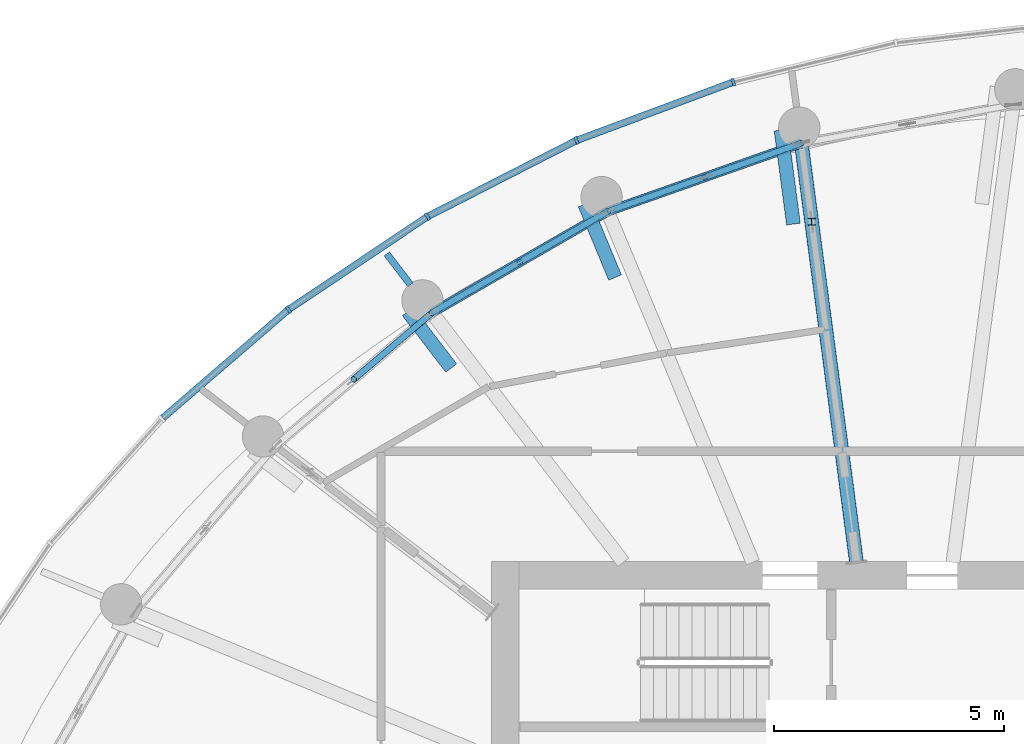
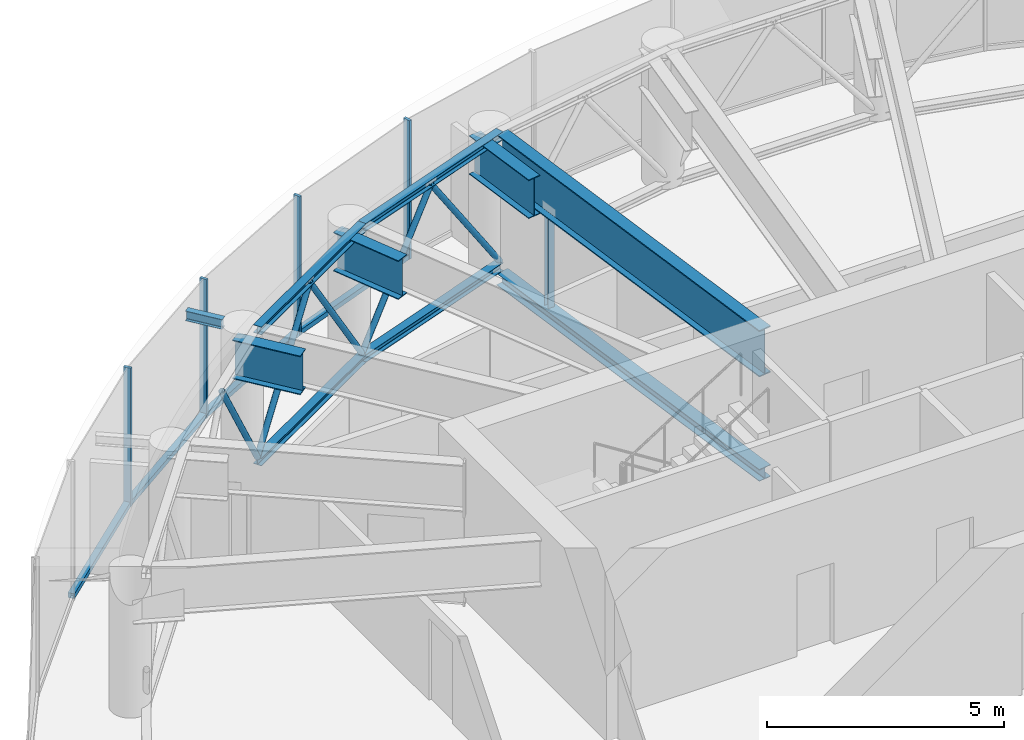
# One storey, part 11 of 26: 19 members, 5 beams, 1 element without a shape of its own.
"""IFC4 building model written with IfcOpenShell, lengths in metres."""

from ifc_helpers import new_model, si_unit, direction, frame, origin, origin_2d, place, context, subcontext, project, spatial, rectangle, hollow_circle, i_section, extrude, source, transform, mapped, material, layer, layer_set, material_profile, profile_set, type_object, element, aggregate, save


model = new_model("IFC4")

# Units and contexts
model_context = context("Model", 3, precision=1e-05, world=origin(), true_north=direction((0.0, 1.0)))
body_context = subcontext(model_context, "Body", "Model", "MODEL_VIEW")
ifc_project = project(units=[si_unit("LENGTHUNIT", "METRE"), si_unit("AREAUNIT", "SQUARE_METRE"), si_unit("VOLUMEUNIT", "CUBIC_METRE"), si_unit("PLANEANGLEUNIT", "RADIAN"), si_unit("MASSUNIT", "GRAM", prefix="KILO")], contexts=[model_context])

# Site, building, storey
site_placement = place(None, origin())
site = spatial("IfcSite", under=ifc_project, at=site_placement, CompositionType="ELEMENT")
building_placement = place(site_placement, origin())
building = spatial("IfcBuilding", under=site, at=building_placement, Name="Spindrift Exchange Tower", CompositionType="ELEMENT")
storey_placement = place(building_placement, frame((0.0, 0.0, 230.60009765625)))
storey = spatial("IfcBuildingStorey", under=building, at=storey_placement, Name="L56", CompositionType="ELEMENT", Elevation=230.60009765625)

# Beam
ifc_material_1 = material(Name="Steel Grade 300", Category="steel")
ifc_material_profile_1 = material_profile(ifc_material_1, i_section(OverallWidth=0.14599609375, OverallDepth=0.251953125, WebThickness=0.006103515625, FlangeThickness=0.008544921875, FilletRadius=0.011962890625, at=origin_2d()), Name="250UB31.4")
ifc_profile_set_1 = profile_set([ifc_material_profile_1], Name="Steel Grade 300")
beam_type_1 = type_object("IfcBeamType", Name="Cantilever Beam 250UB31.4 Steel Grade 300", PredefinedType="BEAM", material=ifc_profile_set_1)
shared_shape_1 = source(origin(), body_context, "Body", "SweptSolid", [
    extrude(i_section(OverallWidth=0.14599609375, OverallDepth=0.251953125, WebThickness=0.006103515625, FlangeThickness=0.008544921875, FilletRadius=0.011962890625, at=origin_2d()), origin(), (0.0, 0.0, 1.0), 0.845947265625),
])
beam_1_placement = place(storey_placement, frame((41.239013671875, 62.024169921875, 3.453857421875), z_axis=(-0.60887368778, 0.793267188487, 0.0), x_axis=(-0.793267188487, -0.60887368778, 0.0)))
element("IfcBeam", 1, at=beam_1_placement, inside=storey, type_object=beam_type_1, Name="L56 cantilever beam R09T", PredefinedType="BEAM", context=body_context, shape_type="MappedRepresentation", body=[
    mapped(shared_shape_1, transform((0.0, 0.0, 0.0), scale=1.0)),
])

# Member
ifc_material_profile_2 = material_profile(ifc_material_1, i_section(OverallWidth=0.152099609375, OverallDepth=0.152099609375, WebThickness=0.006103515625, FlangeThickness=0.0068359375, FilletRadius=0.008056640625, at=origin_2d()), Name="150UC23.4")
ifc_profile_set_2 = profile_set([ifc_material_profile_2], Name="Steel Grade 300")
member_type_1 = type_object("IfcMemberType", Name="Outrigger Truss Post 150UC23.4 Steel Grade 300", PredefinedType="POST", material=ifc_profile_set_2)
shared_shape_2 = source(origin(), body_context, "Body", "SweptSolid", [
    extrude(i_section(OverallWidth=0.152099609375, OverallDepth=0.152099609375, WebThickness=0.006103515625, FlangeThickness=0.0068359375, FilletRadius=0.008056640625, at=origin_2d()), origin(), (0.0, 0.0, 1.0), 2.3798828125),
])
member_1_placement = place(storey_placement, frame((49.97314453125, 63.39599609375, 0.0), z_axis=(0.0, 0.0, 1.0), x_axis=(1.0, 0.0, 0.0)))
element("IfcMember", 2, at=member_1_placement, inside=storey, type_object=member_type_1, Name="L56 outrigger truss 07 post 1", PredefinedType="POST", context=body_context, shape_type="MappedRepresentation", body=[
    mapped(shared_shape_2, transform((0.0, 0.0, 0.0), scale=1.0)),
])

# Beam
ifc_material_profile_3 = material_profile(ifc_material_1, i_section(OverallWidth=0.300048828125, OverallDepth=1.199951171875, WebThickness=0.011962890625, FlangeThickness=0.028076171875, at=origin_2d()), Name="1200WB249")
ifc_profile_set_3 = profile_set([ifc_material_profile_3], Name="Steel Grade 300")
beam_type_2 = type_object("IfcBeamType", Name="Outrigger Truss Transfer Girder 1200WB249 Steel Grade 300", PredefinedType="BEAM", material=ifc_profile_set_3)
shared_shape_3 = source(origin(), body_context, "Body", "SweptSolid", [
    extrude(i_section(OverallWidth=0.300048828125, OverallDepth=1.199951171875, WebThickness=0.011962890625, FlangeThickness=0.028076171875, at=origin_2d()), origin(), (0.0, 0.0, 1.0), 9.11376953125),
])
beam_2_placement = place(storey_placement, frame((50.949462890625, 55.980224609375, 2.97998046875), z_axis=(-0.130536972606, 0.991443442049, 0.0), x_axis=(-0.991443442049, -0.130536972606, 0.0)))
element("IfcBeam", 3, at=beam_2_placement, inside=storey, type_object=beam_type_2, Name="L56 outrigger truss 07 top chord 1", PredefinedType="BEAM", context=body_context, shape_type="MappedRepresentation", body=[
    mapped(shared_shape_3, transform((0.0, 0.0, 0.0), scale=1.0)),
])

# Members
ifc_material_profile_4 = material_profile(ifc_material_1, i_section(OverallWidth=0.304931640625, OverallDepth=0.30810546875, WebThickness=0.010009765625, FlangeThickness=0.015380859375, FilletRadius=0.0166015625, at=origin_2d()), Name="310UC96.8")
ifc_profile_set_4 = profile_set([ifc_material_profile_4], Name="Steel Grade 300")
member_type_2 = type_object("IfcMemberType", Name="Outrigger Truss Chord 310UC96.8 Steel Grade 300", PredefinedType="CHORD", material=ifc_profile_set_4)
shared_shape_4 = source(origin(), body_context, "Body", "SweptSolid", [
    extrude(i_section(OverallWidth=0.304931640625, OverallDepth=0.30810546875, WebThickness=0.010009765625, FlangeThickness=0.015380859375, FilletRadius=0.0166015625, at=origin_2d()), origin(), (0.0, 0.0, 1.0), 9.11376953125),
])
member_2_placement = place(storey_placement, frame((50.949462890625, 55.980224609375, -0.154052734375), z_axis=(-0.130536972606, 0.991443442049, 0.0), x_axis=(-0.991443442049, -0.130536972606, 0.0)))
element("IfcMember", 4, at=member_2_placement, inside=storey, type_object=member_type_2, Name="L56 outrigger truss 07 bottom chord 1", PredefinedType="CHORD", context=body_context, shape_type="MappedRepresentation", body=[
    mapped(shared_shape_4, transform((0.0, 0.0, 0.0), scale=1.0)),
])
ifc_material_profile_5 = material_profile(ifc_material_1, i_section(OverallWidth=0.202880859375, OverallDepth=0.202880859375, WebThickness=0.00732421875, FlangeThickness=0.010986328125, FilletRadius=0.012939453125, at=origin_2d()), Name="200UC46.2")
ifc_profile_set_5 = profile_set([ifc_material_profile_5], Name="Steel Grade 300")
member_type_3 = type_object("IfcMemberType", Name="Belt Truss Chord 200UC46.2 Steel Grade 300", PredefinedType="CHORD", material=ifc_profile_set_5)
shared_shape_5 = source(origin(), body_context, "Body", "SweptSolid", [
    extrude(i_section(OverallWidth=0.202880859375, OverallDepth=0.202880859375, WebThickness=0.00732421875, FlangeThickness=0.010986328125, FilletRadius=0.012939453125, at=origin_2d()), origin(), (0.0, 0.0, 1.0), 4.471923828125),
])
for number, where, z_axis, x_axis, name in (
    (5, (49.748046875, 65.10546875, 3.478515625), (-0.942996380726, -0.332802983668, 0.0), (0.332802983668, -0.942996380726, 0.0), "L56 belt truss 07 top chord"),
    (6, (49.748046875, 65.10546875, 0.101318359375), (-0.942996380726, -0.332802983668, 0.0), (0.332802983668, -0.942996380726, 0.0), "L56 belt truss 07 bottom chord"),
):
    element("IfcMember", number, at=place(storey_placement, frame(where, z_axis=z_axis, x_axis=x_axis)), inside=storey, type_object=member_type_3, Name=name, PredefinedType="CHORD", context=body_context, shape_type="MappedRepresentation", body=[
        mapped(shared_shape_5, transform((0.0, 0.0, 0.0), scale=1.0)),
    ])
ifc_material_2 = material(Name="Steel Grade 350", Category="steel")
ifc_material_profile_6 = material_profile(ifc_material_2, hollow_circle(Radius=0.06982421875, WallThickness=0.00537109375, at=origin_2d()), Name="139.7x5.4CHS")
ifc_profile_set_6 = profile_set([ifc_material_profile_6], Name="Steel Grade 350")
member_type_4 = type_object("IfcMemberType", Name="Belt Truss Diagonal 139.7x5.4CHS Steel Grade 350", PredefinedType="BRACE", material=ifc_profile_set_6)
shared_shape_6 = source(origin(), body_context, "Body", "SweptSolid", [
    extrude(hollow_circle(Radius=0.06982421875, WallThickness=0.00537109375, at=origin_2d()), origin(), (0.0, 0.0, 1.0), 3.882568359375),
])
for number, where, z_axis, x_axis, name in (
    (7, (49.748046875, 65.10546875, 0.202880859375), (-0.543051435145, -0.191665212404, 0.817532620231), (0.332820117735, -0.942990333583, 0.0), "L56 belt truss 07 diagonal 1"),
    (8, (47.6396484375, 64.361328125, 3.376953125), (-0.543095770869, -0.191658667316, -0.817504702682), (0.332785851256, -0.943002426934, 0.0), "L56 belt truss 07 diagonal 2"),
):
    element("IfcMember", number, at=place(storey_placement, frame(where, z_axis=z_axis, x_axis=x_axis)), inside=storey, type_object=member_type_4, Name=name, PredefinedType="BRACE", context=body_context, shape_type="MappedRepresentation", body=[
        mapped(shared_shape_6, transform((0.0, 0.0, 0.0), scale=1.0)),
    ])
shared_shape_7 = source(origin(), body_context, "Body", "SweptSolid", [
    extrude(i_section(OverallWidth=0.202880859375, OverallDepth=0.202880859375, WebThickness=0.00732421875, FlangeThickness=0.010986328125, FilletRadius=0.012939453125, at=origin_2d()), origin(), (0.0, 0.0, 1.0), 4.412841796875),
])
for number, where, z_axis, x_axis, name in (
    (9, (45.531005859375, 63.6171875, 3.478515625), (-0.86636789369, -0.499406320328, 0.0), (0.499406320328, -0.86636789369, 0.0), "L56 belt truss 08 top chord"),
    (10, (45.531005859375, 63.6171875, 0.101318359375), (-0.86636789369, -0.499406320328, 0.0), (0.499406320328, -0.86636789369, 0.0), "L56 belt truss 08 bottom chord"),
):
    element("IfcMember", number, at=place(storey_placement, frame(where, z_axis=z_axis, x_axis=x_axis)), inside=storey, type_object=member_type_3, Name=name, PredefinedType="CHORD", context=body_context, shape_type="MappedRepresentation", body=[
        mapped(shared_shape_7, transform((0.0, 0.0, 0.0), scale=1.0)),
    ])
shared_shape_8 = source(origin(), body_context, "Body", "SweptSolid", [
    extrude(hollow_circle(Radius=0.06982421875, WallThickness=0.00537109375, at=origin_2d()), origin(), (0.0, 0.0, 1.0), 3.86572265625),
])
for number, where, z_axis, x_axis, name in (
    (11, (45.531005859375, 63.6171875, 0.202880859375), (-0.494518794777, -0.28502724404, 0.82110330152), (0.499364793067, -0.866391830205, 0.0), "L56 belt truss 08 diagonal 1"),
    (12, (43.619384765625, 62.515380859375, 3.376953125), (-0.494509891978, -0.285085268504, -0.821088519234), (0.499447844147, -0.866343956507, 0.0), "L56 belt truss 08 diagonal 2"),
):
    element("IfcMember", number, at=place(storey_placement, frame(where, z_axis=z_axis, x_axis=x_axis)), inside=storey, type_object=member_type_4, Name=name, PredefinedType="BRACE", context=body_context, shape_type="MappedRepresentation", body=[
        mapped(shared_shape_8, transform((0.0, 0.0, 0.0), scale=1.0)),
    ])
shared_shape_9 = source(origin(), body_context, "Body", "SweptSolid", [
    extrude(hollow_circle(Radius=0.06982421875, WallThickness=0.00537109375, at=origin_2d()), origin(), (0.0, 0.0, 1.0), 3.883544921875),
])
member_3_placement = place(storey_placement, frame((41.707763671875, 61.413330078125, 0.202880859375), z_axis=(-0.438914639704, -0.373347757835, 0.817291496819), x_axis=(0.647920722698, -0.761707776709, 0.0)))
element("IfcMember", 13, at=member_3_placement, inside=storey, type_object=member_type_4, Name="L56 belt truss 09 diagonal 1", PredefinedType="BRACE", context=body_context, shape_type="MappedRepresentation", body=[
    mapped(shared_shape_9, transform((0.0, 0.0, 0.0), scale=1.0)),
])

# Beams
ifc_material_profile_7 = material_profile(ifc_material_1, i_section(OverallWidth=0.300048828125, OverallDepth=1.0, WebThickness=0.010009765625, FlangeThickness=0.02001953125, at=origin_2d()), Name="1000WB215")
ifc_profile_set_7 = profile_set([ifc_material_profile_7], Name="Steel Grade 300")
beam_type_3 = type_object("IfcBeamType", Name="Transfer Tie Beam 1000WB215 Steel Grade 300", PredefinedType="BEAM", material=ifc_profile_set_7)
shared_shape_10 = source(origin(), body_context, "Body", "SweptSolid", [
    extrude(i_section(OverallWidth=0.300048828125, OverallDepth=1.0, WebThickness=0.010009765625, FlangeThickness=0.02001953125, at=origin_2d()), origin(), (0.0, 0.0, 1.0), 2.06396484375),
])
beam_3_placement = place(storey_placement, frame((49.30712890625, 65.390380859375, 2.97998046875), z_axis=(0.130466751567, -0.991452685072, 0.0), x_axis=(0.991452685072, 0.130466751567, 0.0)))
element("IfcBeam", 14, at=beam_3_placement, inside=storey, type_object=beam_type_3, Name="L56 transfer tie beam K07", PredefinedType="BEAM", context=body_context, shape_type="MappedRepresentation", body=[
    mapped(shared_shape_10, transform((0.0, 0.0, 0.0), scale=1.0)),
])
shared_shape_11 = source(origin(), body_context, "Body", "SweptSolid", [
    extrude(i_section(OverallWidth=0.300048828125, OverallDepth=1.0, WebThickness=0.010009765625, FlangeThickness=0.02001953125, at=origin_2d()), origin(), (0.0, 0.0, 1.0), 1.72900390625),
])
beam_4_placement = place(storey_placement, frame((45.031494140625, 63.7783203125, 2.97998046875), z_axis=(0.382659407135, -0.923889483721, 0.0), x_axis=(0.923889483721, 0.382659407135, 0.0)))
element("IfcBeam", 15, at=beam_4_placement, inside=storey, type_object=beam_type_3, Name="L56 transfer tie beam K08", PredefinedType="BEAM", context=body_context, shape_type="MappedRepresentation", body=[
    mapped(shared_shape_11, transform((0.0, 0.0, 0.0), scale=1.0)),
])
shared_shape_12 = source(origin(), body_context, "Body", "SweptSolid", [
    extrude(i_section(OverallWidth=0.300048828125, OverallDepth=1.0, WebThickness=0.010009765625, FlangeThickness=0.02001953125, at=origin_2d()), origin(), (0.0, 0.0, 1.0), 1.550048828125),
])
beam_5_placement = place(storey_placement, frame((41.183349609375, 61.439453125, 2.97998046875), z_axis=(0.608758847671, -0.793355321014, 0.0), x_axis=(0.793355321014, 0.608758847671, 0.0)))
element("IfcBeam", 16, at=beam_5_placement, inside=storey, type_object=beam_type_3, Name="L56 transfer tie beam K09", PredefinedType="BEAM", context=body_context, shape_type="MappedRepresentation", body=[
    mapped(shared_shape_12, transform((0.0, 0.0, 0.0), scale=1.0)),
])

# Curtain wall, members
ifc_material_3 = material(Name="Fritted laminated glass with bronze frame", Category="glass")
ifc_layer = layer(ifc_material_3, 0.169921875)
ifc_layer_set = layer_set([ifc_layer], Name="ZONE 4 BRONZE FRITTED WALL")
curtain_wall_type = type_object("IfcCurtainWallType", Name="ZONE 4 BRONZE FRITTED WALL", PredefinedType="NOTDEFINED", material=ifc_layer_set)
curtain_wall_placement = place(storey_placement, origin())
curtain_wall = element("IfcCurtainWall", 17, at=curtain_wall_placement, inside=storey, type_object=curtain_wall_type, Name="L56 Zone 4 Bronze Fritted Wall run 2", PredefinedType="NOTDEFINED")
ifc_material_4 = material(Name="Bronze anodised aluminium", Category="aluminium")
ifc_material_profile_8 = material_profile(ifc_material_4, rectangle(XDim=0.06494140625, YDim=0.169921875, at=origin_2d()), Name="ZONE 4 BRONZE FRITTED WALL MULLION 65X170")
ifc_profile_set_8 = profile_set([ifc_material_profile_8], Name="Bronze anodised aluminium")
member_type_5 = type_object("IfcMemberType", Name="ZONE 4 BRONZE FRITTED WALL MULLION 65X170", PredefinedType="MULLION", material=ifc_profile_set_8)
shared_shape_13 = source(origin(), body_context, "Body", "SweptSolid", [
    extrude(rectangle(XDim=0.06494140625, YDim=0.169921875, at=origin_2d()), origin(), (0.0, 0.0, 1.0), 3.579833984375),
])
member_4_placement = place(storey_placement, frame((48.268310546875, 66.43603515625, 0.0), z_axis=(0.0, 0.0, 1.0), x_axis=(-0.956313521182, -0.292343033448, 0.0)))
member_4 = element("IfcMember", 18, at=member_4_placement, type_object=member_type_5, Name="L56 mullion CW-4.9", PredefinedType="MULLION", context=body_context, shape_type="MappedRepresentation", body=[
    mapped(shared_shape_13, transform((0.0, 0.0, 0.0), scale=1.0)),
])
member_5_placement = place(storey_placement, frame((44.85400390625, 65.166015625, 0.0), z_axis=(0.0, 0.0, 1.0), x_axis=(-0.915387704136, -0.402573410843, 0.0)))
member_5 = element("IfcMember", 19, at=member_5_placement, type_object=member_type_5, Name="L56 mullion CW-4.10", PredefinedType="MULLION", context=body_context, shape_type="MappedRepresentation", body=[
    mapped(shared_shape_13, transform((0.0, 0.0, 0.0), scale=1.0)),
])
member_6_placement = place(storey_placement, frame((41.6103515625, 63.508056640625, 0.0), z_axis=(0.0, 0.0, 1.0), x_axis=(-0.862223863327, -0.506527402526, 0.0)))
member_6 = element("IfcMember", 20, at=member_6_placement, type_object=member_type_5, Name="L56 mullion CW-4.11", PredefinedType="MULLION", context=body_context, shape_type="MappedRepresentation", body=[
    mapped(shared_shape_13, transform((0.0, 0.0, 0.0), scale=1.0)),
])
member_7_placement = place(storey_placement, frame((38.5830078125, 61.482177734375, 0.0), z_axis=(0.0, 0.0, 1.0), x_axis=(-0.79579258373, -0.605569288917, 0.0)))
member_7 = element("IfcMember", 21, at=member_7_placement, type_object=member_type_5, Name="L56 mullion CW-4.12", PredefinedType="MULLION", context=body_context, shape_type="MappedRepresentation", body=[
    mapped(shared_shape_13, transform((0.0, 0.0, 0.0), scale=1.0)),
])
ifc_material_profile_9 = material_profile(ifc_material_4, rectangle(XDim=0.14990234375, YDim=0.125, at=origin_2d()), Name="ZONE 4 BRONZE FRITTED WALL TRANSOM 150X125")
ifc_profile_set_9 = profile_set([ifc_material_profile_9], Name="Bronze anodised aluminium")
member_type_6 = type_object("IfcMemberType", Name="ZONE 4 BRONZE FRITTED WALL TRANSOM 150X125", PredefinedType="USERDEFINED", material=ifc_profile_set_9)
shared_shape_14 = source(origin(), body_context, "Body", "SweptSolid", [
    extrude(rectangle(XDim=0.14990234375, YDim=0.125, at=origin_2d()), origin(), (0.0, 0.0, 1.0), 3.57763671875),
])
member_8_placement = place(storey_placement, frame((48.23779296875, 66.4248046875, 0.0625), z_axis=(-0.937259709144, -0.348631951512, 0.0), x_axis=(0.348631951512, -0.937259709144, 0.0)))
member_8 = element("IfcMember", 22, at=member_8_placement, type_object=member_type_6, Name="L56 transom CW-4.9", ObjectType="TRANSOM", PredefinedType="USERDEFINED", context=body_context, shape_type="MappedRepresentation", body=[
    mapped(shared_shape_14, transform((0.0, 0.0, 0.0), scale=1.0)),
])
member_9_placement = place(storey_placement, frame((44.824951171875, 65.1513671875, 0.0625), z_axis=(-0.890406411566, -0.455166367653, 0.0), x_axis=(0.455166367653, -0.890406411566, 0.0)))
member_9 = element("IfcMember", 23, at=member_9_placement, type_object=member_type_6, Name="L56 transom CW-4.10", ObjectType="TRANSOM", PredefinedType="USERDEFINED", context=body_context, shape_type="MappedRepresentation", body=[
    mapped(shared_shape_14, transform((0.0, 0.0, 0.0), scale=1.0)),
])
member_10_placement = place(storey_placement, frame((41.58349609375, 63.489990234375, 0.0625), z_axis=(-0.831083188258, -0.556148122531, 0.0), x_axis=(0.556148122531, -0.831083188258, 0.0)))
member_10 = element("IfcMember", 24, at=member_10_placement, type_object=member_type_6, Name="L56 transom CW-4.11", ObjectType="TRANSOM", PredefinedType="USERDEFINED", context=body_context, shape_type="MappedRepresentation", body=[
    mapped(shared_shape_14, transform((0.0, 0.0, 0.0), scale=1.0)),
])
shared_shape_15 = source(origin(), body_context, "Body", "SweptSolid", [
    extrude(rectangle(XDim=0.14990234375, YDim=0.125, at=origin_2d()), origin(), (0.0, 0.0, 1.0), 3.577392578125),
])
member_11_placement = place(storey_placement, frame((38.558349609375, 61.4609375, 0.0625), z_axis=(-0.757572866267, -0.652750604976, 0.0), x_axis=(0.652750604976, -0.757572866267, 0.0)))
member_11 = element("IfcMember", 25, at=member_11_placement, type_object=member_type_6, Name="L56 transom CW-4.12", ObjectType="TRANSOM", PredefinedType="USERDEFINED", context=body_context, shape_type="MappedRepresentation", body=[
    mapped(shared_shape_15, transform((0.0, 0.0, 0.0), scale=1.0)),
])
aggregate(curtain_wall, [member_4, member_8, member_5, member_9, member_6, member_10, member_7, member_11])

save(model, "model.ifc")
